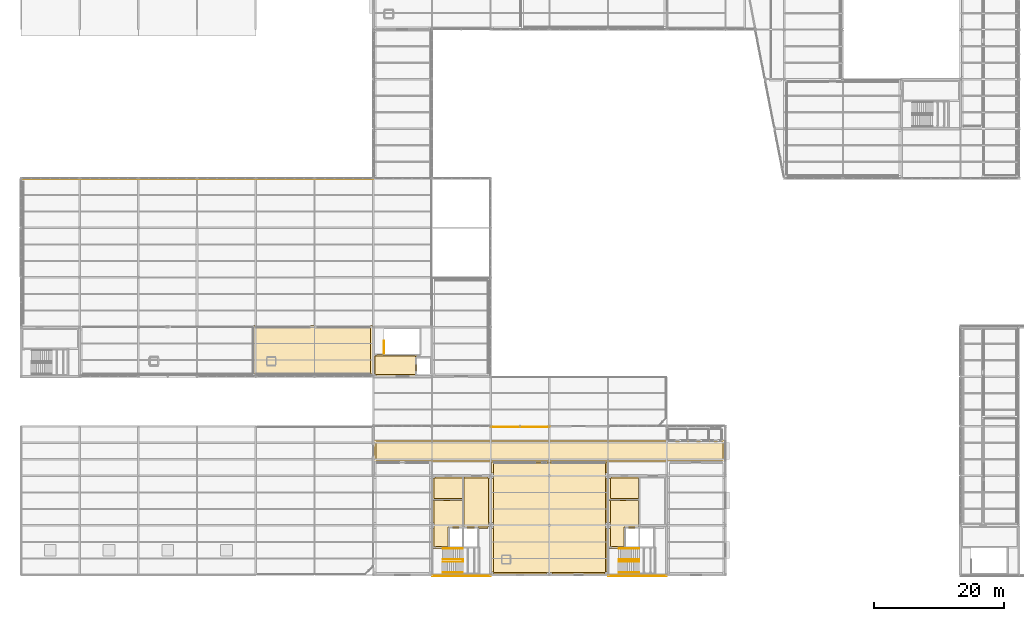
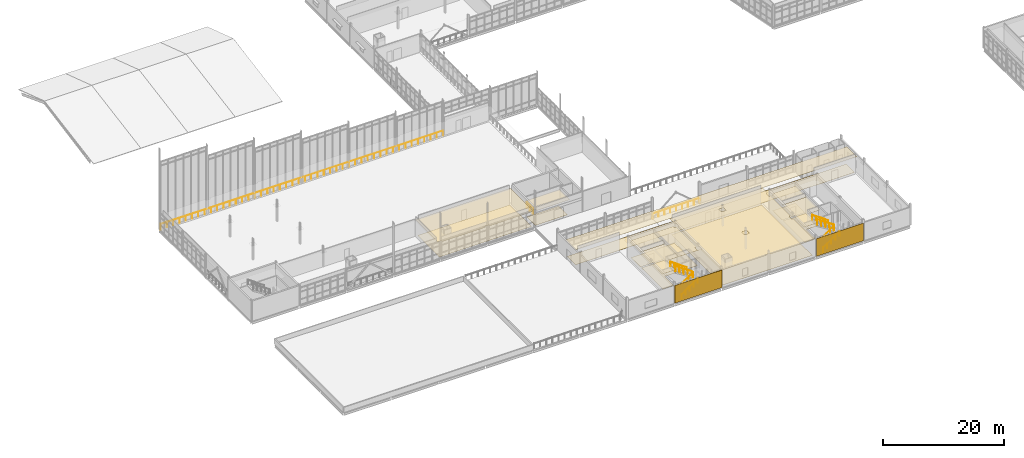
# One storey, part 162 of 166: 20 coverings, 9 railings.
"""IFC4 building model written with IfcOpenShell, lengths in metres."""

from ifc_helpers import new_model, si_unit, direction, frame, origin, origin_2d, place, context, subcontext, project, spatial, polyline, rectangle, circle, outline, extrude, material, layer, layer_set, type_object, element, save


model = new_model("IFC4")

# Units and contexts
model_context = context("Model", 3, precision=1e-05, world=origin(), true_north=direction((0.0, 1.0)))
body_context = subcontext(model_context, "Body", "Model", "MODEL_VIEW")
ifc_project = project(units=[si_unit("LENGTHUNIT", "METRE"), si_unit("AREAUNIT", "SQUARE_METRE"), si_unit("VOLUMEUNIT", "CUBIC_METRE"), si_unit("PLANEANGLEUNIT", "RADIAN"), si_unit("MASSUNIT", "GRAM", prefix="KILO")], contexts=[model_context])

# Site, building, storey
site_placement = place(None, origin())
site = spatial("IfcSite", under=ifc_project, at=site_placement, CompositionType="ELEMENT")
building_placement = place(site_placement, origin())
building = spatial("IfcBuilding", under=site, at=building_placement, Name="Caisbarro Railhouse Central Library", CompositionType="ELEMENT")
storey_placement = place(building_placement, frame((0.0, 0.0, 9.360107421875)))
storey = spatial("IfcBuildingStorey", under=building, at=storey_placement, Name="L02", CompositionType="ELEMENT", Elevation=9.360107421875)

# Coverings
ifc_material_1 = material(Name="Extruded architectural terracotta rainscreen", Category="masonry")
ifc_layer_1 = layer(ifc_material_1, 0.054931640625, Name="Extruded architectural terracotta rainscreen")
ifc_layer_set_1 = layer_set([ifc_layer_1], Name="Extruded architectural terracotta rainscreen")
covering_type_1 = type_object("IfcCoveringType", Name="CLD-TER01", PredefinedType="CLADDING", material=ifc_layer_set_1)
for number, where, z_axis, x_axis, name in (
    (1, (67.5, -0.151611328125, 0.02978515625), (0.0, 0.0, 1.0), (1.0, 0.0, 0.0), "TER01 facade cladding L02-027"),
    (2, (94.5, -0.151611328125, 0.02978515625), (0.0, 0.0, 1.0), (1.0, 0.0, 0.0), "TER01 facade cladding L02-028"),
):
    element("IfcCovering", number, at=place(storey_placement, frame(where, z_axis=z_axis, x_axis=x_axis)), inside=storey, type_object=covering_type_1, Name=name, PredefinedType="CLADDING", context=body_context, shape_type="SweptSolid", body=[
        extrude(rectangle(XDim=8.9599609375, YDim=0.054931640625, at=origin_2d()), origin(), (0.0, 0.0, 1.0), 3.551025390625),
    ])
ifc_material_2 = material(Name="Perforated mineral-fibre acoustic ceiling tile")
ifc_layer_2 = layer(ifc_material_2, 0.01806640625, Name="Perforated mineral-fibre acoustic ceiling tile")
ifc_layer_set_2 = layer_set([ifc_layer_2], Name="Perforated mineral-fibre acoustic ceiling tile")
covering_type_2 = type_object("IfcCoveringType", Name="COV-CL01", PredefinedType="CEILING", material=ifc_layer_set_2)
covering_1_placement = place(storey_placement, frame((0.0, 0.0, 3.25)))
element("IfcCovering", 3, at=covering_1_placement, inside=storey, type_object=covering_type_2, Name="CL01 acoustic ceiling Firefighting Lift Lobby K1", PredefinedType="CEILING", context=body_context, shape_type="SweptSolid", body=[
    extrude(outline(polyline([(63.090087890625, 7.159912109375), (63.43994140625, 7.159912109375), (63.43994140625, 8.0400390625), (63.090087890625, 8.0400390625), (63.090087890625, 11.7099609375), (67.909912109375, 11.7099609375), (67.909912109375, 7.090087890625), (65.7099609375, 7.090087890625), (65.7099609375, 4.090087890625), (63.090087890625, 4.090087890625), (63.090087890625, 7.159912109375)])), origin(), (0.0, 0.0, 1.0), 0.017822265625),
])
covering_2_placement = place(storey_placement, frame((0.0, 0.0, 3.25)))
element("IfcCovering", 4, at=covering_2_placement, inside=storey, type_object=covering_type_2, Name="CL01 acoustic ceiling Lift Lobby K1", PredefinedType="CEILING", context=body_context, shape_type="SweptSolid", body=[
    extrude(outline(polyline([(71.56005859375, 15.110107421875), (71.56005859375, 14.760009765625), (71.909912109375, 14.760009765625), (71.909912109375, 8.0400390625), (71.56005859375, 8.0400390625), (71.56005859375, 7.159912109375), (71.909912109375, 7.159912109375), (71.909912109375, 7.090087890625), (67.639892578125, 7.090087890625), (67.639892578125, 15.110107421875), (71.56005859375, 15.110107421875)])), origin(), (0.0, 0.0, 1.0), 0.017822265625),
])
covering_3_placement = place(storey_placement, frame((0.0, 0.0, 3.25)))
element("IfcCovering", 5, at=covering_3_placement, inside=storey, type_object=covering_type_2, Name="CL01 acoustic ceiling Core Vestibule K1", PredefinedType="CEILING", context=body_context, shape_type="SweptSolid", body=[
    extrude(outline(polyline([(63.090087890625, 14.760009765625), (63.43994140625, 14.760009765625), (63.43994140625, 15.110107421875), (67.909912109375, 15.110107421875), (67.909912109375, 11.43994140625), (63.090087890625, 11.43994140625), (63.090087890625, 14.760009765625)])), origin(), (0.0, 0.0, 1.0), 0.017822265625),
])
covering_4_placement = place(storey_placement, frame((0.0, 0.0, 3.25)))
element("IfcCovering", 6, at=covering_4_placement, inside=storey, type_object=covering_type_2, Name="CL01 acoustic ceiling Firefighting Lift Lobby K2", PredefinedType="CEILING", context=body_context, shape_type="SweptSolid", body=[
    extrude(outline(polyline([(90.090087890625, 7.159912109375), (90.43994140625, 7.159912109375), (90.43994140625, 8.0400390625), (90.090087890625, 8.0400390625), (90.090087890625, 11.7099609375), (94.909912109375, 11.7099609375), (94.909912109375, 7.090087890625), (92.7099609375, 7.090087890625), (92.7099609375, 4.090087890625), (90.090087890625, 4.090087890625), (90.090087890625, 7.159912109375)])), origin(), (0.0, 0.0, 1.0), 0.017822265625),
])
covering_5_placement = place(storey_placement, frame((0.0, 0.0, 3.25)))
element("IfcCovering", 7, at=covering_5_placement, inside=storey, type_object=covering_type_2, Name="CL01 acoustic ceiling Core Vestibule K2", PredefinedType="CEILING", context=body_context, shape_type="SweptSolid", body=[
    extrude(outline(polyline([(90.090087890625, 14.760009765625), (90.43994140625, 14.760009765625), (90.43994140625, 15.110107421875), (94.909912109375, 15.110107421875), (94.909912109375, 11.43994140625), (90.090087890625, 11.43994140625), (90.090087890625, 14.760009765625)])), origin(), (0.0, 0.0, 1.0), 0.017822265625),
])
covering_6_placement = place(storey_placement, frame((0.0, 0.0, 3.119873046875)))
element("IfcCovering", 8, at=covering_6_placement, inside=storey, type_object=covering_type_2, Name="CL01 acoustic ceiling Lift Lobby K4", PredefinedType="CEILING", context=body_context, shape_type="SweptSolid", body=[
    extrude(outline(polyline([(54.0400390625, 33.860107421875), (60.7099609375, 33.860107421875), (60.7099609375, 30.489990234375), (54.43994140625, 30.489990234375), (54.43994140625, 30.840087890625), (54.0400390625, 30.840087890625), (54.0400390625, 33.860107421875)])), origin(), (0.0, 0.0, 1.0), 0.01806640625),
])
covering_7_placement = place(storey_placement, frame((0.0, 0.0, 3.119873046875)))
element("IfcCovering", 9, at=covering_7_placement, inside=storey, type_object=covering_type_2, Name="CL01 acoustic ceiling Reference Consultation Lounge", PredefinedType="CEILING", context=body_context, shape_type="SweptSolid", body=[
    extrude(outline(polyline([(53.860107421875, 30.840087890625), (53.56005859375, 30.840087890625), (53.56005859375, 30.5400390625), (45.43994140625, 30.5400390625), (45.43994140625, 30.840087890625), (44.56005859375, 30.840087890625), (44.56005859375, 30.5400390625), (36.43994140625, 30.5400390625), (36.43994140625, 30.840087890625), (35.739990234375, 30.840087890625), (35.739990234375, 38.260009765625), (53.860107421875, 38.260009765625), (53.860107421875, 30.840087890625)])), origin(), (0.0, 0.0, 1.0), 0.01806640625),
])
covering_8_placement = place(storey_placement, frame((0.0, 0.0, 3.25)))
element("IfcCovering", 10, at=covering_8_placement, inside=storey, type_object=covering_type_2, Name="CL01 acoustic ceiling Science and Technology Open Stacks", PredefinedType="CEILING", context=body_context, shape_type="SweptSolid", body=[
    extrude(outline(polyline([(72.43994140625, 0.43994140625), (72.139892578125, 0.43994140625), (72.139892578125, 7.159912109375), (72.43994140625, 7.159912109375), (72.43994140625, 8.0400390625), (72.139892578125, 8.0400390625), (72.139892578125, 14.760009765625), (72.43994140625, 14.760009765625), (72.43994140625, 15.639892578125), (72.139892578125, 15.639892578125), (72.139892578125, 17.4599609375), (89.860107421875, 17.4599609375), (89.860107421875, 15.639892578125), (89.56005859375, 15.639892578125), (89.56005859375, 14.760009765625), (89.860107421875, 14.760009765625), (89.860107421875, 8.0400390625), (89.56005859375, 8.0400390625), (89.56005859375, 7.159912109375), (89.860107421875, 7.159912109375), (89.860107421875, 0.43994140625), (89.56005859375, 0.43994140625), (89.56005859375, 0.139892578125), (81.43994140625, 0.139892578125), (81.43994140625, 0.43994140625), (80.56005859375, 0.43994140625), (80.56005859375, 0.139892578125), (72.43994140625, 0.139892578125), (72.43994140625, 0.43994140625)]), holes=[polyline([(81.43994140625, 8.0400390625), (80.56005859375, 8.0400390625), (80.56005859375, 7.159912109375), (81.43994140625, 7.159912109375), (81.43994140625, 8.0400390625)]), polyline([(81.43994140625, 14.760009765625), (81.43994140625, 15.639892578125), (80.56005859375, 15.639892578125), (80.56005859375, 14.760009765625), (81.43994140625, 14.760009765625)])]), origin(), (0.0, 0.0, 1.0), 0.017822265625),
])
covering_9_placement = place(storey_placement, frame((0.0, 0.0, 3.25)))
element("IfcCovering", 11, at=covering_9_placement, inside=storey, type_object=covering_type_2, Name="CL01 acoustic ceiling Science Stacks Corridor L02", PredefinedType="CEILING", context=body_context, shape_type="SweptSolid", body=[
    extrude(outline(polyline([(54.139892578125, 17.340087890625), (54.139892578125, 20.659912109375), (107.860107421875, 20.659912109375), (107.860107421875, 17.340087890625), (54.139892578125, 17.340087890625)])), origin(), (0.0, 0.0, 1.0), 0.017822265625),
])
ifc_material_3 = material(Name="Polished cementitious terrazzo flooring")
ifc_layer_3 = layer(ifc_material_3, 0.02197265625, Name="Polished cementitious terrazzo flooring")
ifc_layer_set_3 = layer_set([ifc_layer_3], Name="Polished cementitious terrazzo flooring")
covering_type_3 = type_object("IfcCoveringType", Name="COV-FL01", PredefinedType="FLOORING", material=ifc_layer_set_3)
covering_10_placement = place(storey_placement, origin())
element("IfcCovering", 12, at=covering_10_placement, inside=storey, type_object=covering_type_3, Name="FL01 flooring Firefighting Lift Lobby K1", PredefinedType="FLOORING", context=body_context, shape_type="SweptSolid", body=[
    extrude(outline(polyline([(63.35009765625, 4.35009765625), (65.449951171875, 4.35009765625), (65.449951171875, 7.35009765625), (67.64990234375, 7.35009765625), (67.64990234375, 11.449951171875), (63.35009765625, 11.449951171875), (63.35009765625, 4.35009765625)])), origin(), (0.0, 0.0, 1.0), 0.02197265625),
])
covering_11_placement = place(storey_placement, origin())
element("IfcCovering", 13, at=covering_11_placement, inside=storey, type_object=covering_type_3, Name="FL01 flooring Lift Lobby K1", PredefinedType="FLOORING", context=body_context, shape_type="SweptSolid", body=[
    extrude(outline(polyline([(67.89990234375, 7.35009765625), (71.64990234375, 7.35009765625), (71.64990234375, 14.85009765625), (67.89990234375, 14.85009765625), (67.89990234375, 7.35009765625)])), origin(), (0.0, 0.0, 1.0), 0.02197265625),
])
covering_12_placement = place(storey_placement, origin())
element("IfcCovering", 14, at=covering_12_placement, inside=storey, type_object=covering_type_3, Name="FL01 flooring Firefighting Lift Lobby K2", PredefinedType="FLOORING", context=body_context, shape_type="SweptSolid", body=[
    extrude(outline(polyline([(90.35009765625, 4.35009765625), (92.449951171875, 4.35009765625), (92.449951171875, 7.35009765625), (94.64990234375, 7.35009765625), (94.64990234375, 11.449951171875), (90.35009765625, 11.449951171875), (90.35009765625, 4.35009765625)])), origin(), (0.0, 0.0, 1.0), 0.02197265625),
])
covering_13_placement = place(storey_placement, origin())
element("IfcCovering", 15, at=covering_13_placement, inside=storey, type_object=covering_type_3, Name="FL01 flooring Lift Lobby K4", PredefinedType="FLOORING", context=body_context, shape_type="SweptSolid", body=[
    extrude(outline(polyline([(54.300048828125, 30.75), (60.449951171875, 30.75), (60.449951171875, 33.60009765625), (54.300048828125, 33.60009765625), (54.300048828125, 30.75)])), origin(), (0.0, 0.0, 1.0), 0.02197265625),
])
covering_14_placement = place(storey_placement, origin())
element("IfcCovering", 16, at=covering_14_placement, inside=storey, type_object=covering_type_3, Name="FL01 flooring Science Stacks Corridor L02", PredefinedType="FLOORING", context=body_context, shape_type="SweptSolid", body=[
    extrude(outline(polyline([(54.39990234375, 17.60009765625), (107.60009765625, 17.60009765625), (107.60009765625, 20.39990234375), (54.39990234375, 20.39990234375), (54.39990234375, 17.60009765625)])), origin(), (0.0, 0.0, 1.0), 0.02197265625),
])
ifc_material_4 = material(Name="Heavy-duty acoustic linoleum flooring")
ifc_layer_4 = layer(ifc_material_4, 0.011962890625, Name="Heavy-duty acoustic linoleum flooring")
ifc_layer_set_4 = layer_set([ifc_layer_4], Name="Heavy-duty acoustic linoleum flooring")
covering_type_4 = type_object("IfcCoveringType", Name="COV-FL02", PredefinedType="FLOORING", material=ifc_layer_set_4)
covering_15_placement = place(storey_placement, origin())
element("IfcCovering", 17, at=covering_15_placement, inside=storey, type_object=covering_type_4, Name="FL02 flooring Core Vestibule K1", PredefinedType="FLOORING", context=body_context, shape_type="SweptSolid", body=[
    extrude(outline(polyline([(63.35009765625, 11.699951171875), (67.64990234375, 11.699951171875), (67.64990234375, 14.85009765625), (63.35009765625, 14.85009765625), (63.35009765625, 11.699951171875)])), origin(), (0.0, 0.0, 1.0), 0.011962890625),
])
covering_16_placement = place(storey_placement, origin())
element("IfcCovering", 18, at=covering_16_placement, inside=storey, type_object=covering_type_4, Name="FL02 flooring Core Vestibule K2", PredefinedType="FLOORING", context=body_context, shape_type="SweptSolid", body=[
    extrude(outline(polyline([(90.35009765625, 11.699951171875), (94.64990234375, 11.699951171875), (94.64990234375, 14.85009765625), (90.35009765625, 14.85009765625), (90.35009765625, 11.699951171875)])), origin(), (0.0, 0.0, 1.0), 0.011962890625),
])
covering_17_placement = place(storey_placement, origin())
element("IfcCovering", 19, at=covering_17_placement, inside=storey, type_object=covering_type_4, Name="FL02 flooring Reference Consultation Lounge", PredefinedType="FLOORING", context=body_context, shape_type="SweptSolid", body=[
    extrude(outline(polyline([(36.0, 30.800048828125), (53.60009765625, 30.800048828125), (53.60009765625, 38.0), (36.0, 38.0), (36.0, 30.800048828125)])), origin(), (0.0, 0.0, 1.0), 0.011962890625),
])
covering_18_placement = place(storey_placement, origin())
element("IfcCovering", 20, at=covering_18_placement, inside=storey, type_object=covering_type_4, Name="FL02 flooring Science and Technology Open Stacks", PredefinedType="FLOORING", context=body_context, shape_type="SweptSolid", body=[
    extrude(outline(polyline([(72.39990234375, 0.39990234375), (89.60009765625, 0.39990234375), (89.60009765625, 17.199951171875), (72.39990234375, 17.199951171875), (72.39990234375, 0.39990234375)])), origin(), (0.0, 0.0, 1.0), 0.011962890625),
])

# Railings
ifc_material_5 = material(Name="Laminated safety glass balustrade with stainless top rail", Category="glass")
railing_type_1 = type_object("IfcRailingType", Name="RLG-ATR112", PredefinedType="GUARDRAIL", material=ifc_material_5)
railing_1_placement = place(storey_placement, frame((0.14990234375, 60.699951171875, 0.0)))
element("IfcRailing", 21, at=railing_1_placement, inside=storey, type_object=railing_type_1, Name="RG02 Interior Void Balustrade L02-14", PredefinedType="GUARDRAIL", context=body_context, shape_type="SweptSolid", body=[
    extrude(circle(Radius=0.02392578125, at=origin_2d()), frame((0.0, 0.0, 1.09619140625), z_axis=(1.0, 0.0, 0.0), x_axis=(0.0, 1.0, 0.0)), (0.0, 0.0, 1.0), 53.85009765625),
    extrude(circle(Radius=0.02099609375, at=origin_2d()), origin(), (0.0, 0.0, 1.0), 1.072021484375),
    extrude(circle(Radius=0.02099609375, at=origin_2d()), frame((1.19677734375, 0.0, 0.0)), (0.0, 0.0, 1.0), 1.072021484375),
    extrude(circle(Radius=0.02099609375, at=origin_2d()), frame((2.393310546875, 0.0, 0.0)), (0.0, 0.0, 1.0), 1.072021484375),
    extrude(circle(Radius=0.02099609375, at=origin_2d()), frame((3.590087890625, 0.0, 0.0)), (0.0, 0.0, 1.0), 1.072021484375),
    extrude(circle(Radius=0.02099609375, at=origin_2d()), frame((4.78662109375, 0.0, 0.0)), (0.0, 0.0, 1.0), 1.072021484375),
    extrude(circle(Radius=0.02099609375, at=origin_2d()), frame((5.9833984375, 0.0, 0.0)), (0.0, 0.0, 1.0), 1.072021484375),
    extrude(circle(Radius=0.02099609375, at=origin_2d()), frame((7.179931640625, 0.0, 0.0)), (0.0, 0.0, 1.0), 1.072021484375),
    extrude(circle(Radius=0.02099609375, at=origin_2d()), frame((8.376708984375, 0.0, 0.0)), (0.0, 0.0, 1.0), 1.072021484375),
    extrude(circle(Radius=0.02099609375, at=origin_2d()), frame((9.5732421875, 0.0, 0.0)), (0.0, 0.0, 1.0), 1.072021484375),
    extrude(circle(Radius=0.02099609375, at=origin_2d()), frame((10.77001953125, 0.0, 0.0)), (0.0, 0.0, 1.0), 1.072021484375),
    extrude(circle(Radius=0.02099609375, at=origin_2d()), frame((11.966796875, 0.0, 0.0)), (0.0, 0.0, 1.0), 1.072021484375),
    extrude(circle(Radius=0.02099609375, at=origin_2d()), frame((13.163330078125, 0.0, 0.0)), (0.0, 0.0, 1.0), 1.072021484375),
    extrude(circle(Radius=0.02099609375, at=origin_2d()), frame((14.360107421875, 0.0, 0.0)), (0.0, 0.0, 1.0), 1.072021484375),
    extrude(circle(Radius=0.02099609375, at=origin_2d()), frame((15.556640625, 0.0, 0.0)), (0.0, 0.0, 1.0), 1.072021484375),
    extrude(circle(Radius=0.02099609375, at=origin_2d()), frame((16.75341796875, 0.0, 0.0)), (0.0, 0.0, 1.0), 1.072021484375),
    extrude(circle(Radius=0.02099609375, at=origin_2d()), frame((17.949951171875, 0.0, 0.0)), (0.0, 0.0, 1.0), 1.072021484375),
    extrude(circle(Radius=0.02099609375, at=origin_2d()), frame((19.146728515625, 0.0, 0.0)), (0.0, 0.0, 1.0), 1.072021484375),
    extrude(circle(Radius=0.02099609375, at=origin_2d()), frame((20.34326171875, 0.0, 0.0)), (0.0, 0.0, 1.0), 1.072021484375),
    extrude(circle(Radius=0.02099609375, at=origin_2d()), frame((21.5400390625, 0.0, 0.0)), (0.0, 0.0, 1.0), 1.072021484375),
    extrude(circle(Radius=0.02099609375, at=origin_2d()), frame((22.73681640625, 0.0, 0.0)), (0.0, 0.0, 1.0), 1.072021484375),
    extrude(circle(Radius=0.02099609375, at=origin_2d()), frame((23.933349609375, 0.0, 0.0)), (0.0, 0.0, 1.0), 1.072021484375),
    extrude(circle(Radius=0.02099609375, at=origin_2d()), frame((25.130126953125, 0.0, 0.0)), (0.0, 0.0, 1.0), 1.072021484375),
    extrude(circle(Radius=0.02099609375, at=origin_2d()), frame((26.32666015625, 0.0, 0.0)), (0.0, 0.0, 1.0), 1.072021484375),
    extrude(circle(Radius=0.02099609375, at=origin_2d()), frame((27.5234375, 0.0, 0.0)), (0.0, 0.0, 1.0), 1.072021484375),
    extrude(circle(Radius=0.02099609375, at=origin_2d()), frame((28.719970703125, 0.0, 0.0)), (0.0, 0.0, 1.0), 1.072021484375),
    extrude(circle(Radius=0.02099609375, at=origin_2d()), frame((29.916748046875, 0.0, 0.0)), (0.0, 0.0, 1.0), 1.072021484375),
    extrude(circle(Radius=0.02099609375, at=origin_2d()), frame((31.11328125, 0.0, 0.0)), (0.0, 0.0, 1.0), 1.072021484375),
    extrude(circle(Radius=0.02099609375, at=origin_2d()), frame((32.31005859375, 0.0, 0.0)), (0.0, 0.0, 1.0), 1.072021484375),
    extrude(circle(Radius=0.02099609375, at=origin_2d()), frame((33.5068359375, 0.0, 0.0)), (0.0, 0.0, 1.0), 1.072021484375),
    extrude(circle(Radius=0.02099609375, at=origin_2d()), frame((34.703369140625, 0.0, 0.0)), (0.0, 0.0, 1.0), 1.072021484375),
    extrude(circle(Radius=0.02099609375, at=origin_2d()), frame((35.900146484375, 0.0, 0.0)), (0.0, 0.0, 1.0), 1.072021484375),
    extrude(circle(Radius=0.02099609375, at=origin_2d()), frame((37.0966796875, 0.0, 0.0)), (0.0, 0.0, 1.0), 1.072021484375),
    extrude(circle(Radius=0.02099609375, at=origin_2d()), frame((38.29345703125, 0.0, 0.0)), (0.0, 0.0, 1.0), 1.072021484375),
    extrude(circle(Radius=0.02099609375, at=origin_2d()), frame((39.489990234375, 0.0, 0.0)), (0.0, 0.0, 1.0), 1.072021484375),
    extrude(circle(Radius=0.02099609375, at=origin_2d()), frame((40.686767578125, 0.0, 0.0)), (0.0, 0.0, 1.0), 1.072021484375),
    extrude(circle(Radius=0.02099609375, at=origin_2d()), frame((41.88330078125, 0.0, 0.0)), (0.0, 0.0, 1.0), 1.072021484375),
    extrude(circle(Radius=0.02099609375, at=origin_2d()), frame((43.080078125, 0.0, 0.0)), (0.0, 0.0, 1.0), 1.072021484375),
    extrude(circle(Radius=0.02099609375, at=origin_2d()), frame((44.27685546875, 0.0, 0.0)), (0.0, 0.0, 1.0), 1.072021484375),
    extrude(circle(Radius=0.02099609375, at=origin_2d()), frame((45.473388671875, 0.0, 0.0)), (0.0, 0.0, 1.0), 1.072021484375),
    extrude(circle(Radius=0.02099609375, at=origin_2d()), frame((46.670166015625, 0.0, 0.0)), (0.0, 0.0, 1.0), 1.072021484375),
    extrude(circle(Radius=0.02099609375, at=origin_2d()), frame((47.86669921875, 0.0, 0.0)), (0.0, 0.0, 1.0), 1.072021484375),
    extrude(circle(Radius=0.02099609375, at=origin_2d()), frame((49.0634765625, 0.0, 0.0)), (0.0, 0.0, 1.0), 1.072021484375),
    extrude(circle(Radius=0.02099609375, at=origin_2d()), frame((50.260009765625, 0.0, 0.0)), (0.0, 0.0, 1.0), 1.072021484375),
    extrude(circle(Radius=0.02099609375, at=origin_2d()), frame((51.456787109375, 0.0, 0.0)), (0.0, 0.0, 1.0), 1.072021484375),
    extrude(circle(Radius=0.02099609375, at=origin_2d()), frame((52.6533203125, 0.0, 0.0)), (0.0, 0.0, 1.0), 1.072021484375),
    extrude(circle(Radius=0.02099609375, at=origin_2d()), frame((53.85009765625, 0.0, 0.0)), (0.0, 0.0, 1.0), 1.072021484375),
])
railing_2_placement = place(storey_placement, frame((72.0, 22.699951171875, 0.0)))
element("IfcRailing", 22, at=railing_2_placement, inside=storey, type_object=railing_type_1, Name="RG02 Interior Void Balustrade L02-25", PredefinedType="GUARDRAIL", context=body_context, shape_type="SweptSolid", body=[
    extrude(circle(Radius=0.02392578125, at=origin_2d()), frame((0.0, 0.0, 1.09619140625), z_axis=(1.0, 0.0, 0.0), x_axis=(0.0, 1.0, 0.0)), (0.0, 0.0, 1.0), 9.0),
    extrude(circle(Radius=0.02099609375, at=origin_2d()), origin(), (0.0, 0.0, 1.0), 1.072021484375),
    extrude(circle(Radius=0.02099609375, at=origin_2d()), frame((1.125, 0.0, 0.0)), (0.0, 0.0, 1.0), 1.072021484375),
    extrude(circle(Radius=0.02099609375, at=origin_2d()), frame((2.25, 0.0, 0.0)), (0.0, 0.0, 1.0), 1.072021484375),
    extrude(circle(Radius=0.02099609375, at=origin_2d()), frame((3.375, 0.0, 0.0)), (0.0, 0.0, 1.0), 1.072021484375),
    extrude(circle(Radius=0.02099609375, at=origin_2d()), frame((4.5, 0.0, 0.0)), (0.0, 0.0, 1.0), 1.072021484375),
    extrude(circle(Radius=0.02099609375, at=origin_2d()), frame((5.625, 0.0, 0.0)), (0.0, 0.0, 1.0), 1.072021484375),
    extrude(circle(Radius=0.02099609375, at=origin_2d()), frame((6.75, 0.0, 0.0)), (0.0, 0.0, 1.0), 1.072021484375),
    extrude(circle(Radius=0.02099609375, at=origin_2d()), frame((7.875, 0.0, 0.0)), (0.0, 0.0, 1.0), 1.072021484375),
    extrude(circle(Radius=0.02099609375, at=origin_2d()), frame((9.0, 0.0, 0.0)), (0.0, 0.0, 1.0), 1.072021484375),
])
ifc_material_6 = material(Name="Brushed stainless steel Grade 316", Category="steel")
railing_type_2 = type_object("IfcRailingType", Name="RLG-STR092", PredefinedType="HANDRAIL", material=ifc_material_6)
railing_3_placement = place(storey_placement, frame((64.64990234375, 0.389892578125, 0.0)))
element("IfcRailing", 23, at=railing_3_placement, inside=storey, type_object=railing_type_2, Name="Stair ST-01 Outer Handrail F1 L02", PredefinedType="HANDRAIL", context=body_context, shape_type="SweptSolid", body=[
    extrude(circle(Radius=0.02392578125, at=origin_2d()), frame((0.0, 0.0, 0.89599609375), z_axis=(0.819624179701, 0.0, 0.572901565759), x_axis=(0.0, 1.0, 0.0)), (0.0, 0.0, 1.0), 3.77001953125),
    extrude(circle(Radius=0.02099609375, at=origin_2d()), origin(), (0.0, 0.0, 1.0), 0.871826171875),
    extrude(circle(Radius=0.02099609375, at=origin_2d()), frame((0.7724609375, 0.0, 0.5400390625)), (0.0, 0.0, 1.0), 0.871826171875),
    extrude(circle(Radius=0.02099609375, at=origin_2d()), frame((1.544921875, 0.0, 1.080078125)), (0.0, 0.0, 1.0), 0.871826171875),
    extrude(circle(Radius=0.02099609375, at=origin_2d()), frame((2.317626953125, 0.0, 1.619873046875)), (0.0, 0.0, 1.0), 0.871826171875),
    extrude(circle(Radius=0.02099609375, at=origin_2d()), frame((3.090087890625, 0.0, 2.159912109375)), (0.0, 0.0, 1.0), 0.871826171875),
])
railing_4_placement = place(storey_placement, frame((67.739990234375, 4.06005859375, 2.159912109375)))
element("IfcRailing", 24, at=railing_4_placement, inside=storey, type_object=railing_type_2, Name="Stair ST-01 Outer Handrail F2 L02", PredefinedType="HANDRAIL", context=body_context, shape_type="SweptSolid", body=[
    extrude(circle(Radius=0.02392578125, at=origin_2d()), frame((0.0, 0.0, 0.89599609375), z_axis=(-0.819624179701, 0.0, 0.572901565759), x_axis=(0.0, -1.0, 0.0)), (0.0, 0.0, 1.0), 3.77001953125),
    extrude(circle(Radius=0.02099609375, at=origin_2d()), origin(), (0.0, 0.0, 1.0), 0.871826171875),
    extrude(circle(Radius=0.02099609375, at=origin_2d()), frame((-0.7724609375, 0.0, 0.5400390625)), (0.0, 0.0, 1.0), 0.871826171875),
    extrude(circle(Radius=0.02099609375, at=origin_2d()), frame((-1.544921875, 0.0, 1.080078125)), (0.0, 0.0, 1.0), 0.871826171875),
    extrude(circle(Radius=0.02099609375, at=origin_2d()), frame((-2.317626953125, 0.0, 1.619873046875)), (0.0, 0.0, 1.0), 0.871826171875),
    extrude(circle(Radius=0.02099609375, at=origin_2d()), frame((-3.090087890625, 0.0, 2.159912109375)), (0.0, 0.0, 1.0), 0.871826171875),
])
railing_5_placement = place(storey_placement, frame((91.64990234375, 0.389892578125, 0.0)))
element("IfcRailing", 25, at=railing_5_placement, inside=storey, type_object=railing_type_2, Name="Stair ST-02 Outer Handrail F1 L02", PredefinedType="HANDRAIL", context=body_context, shape_type="SweptSolid", body=[
    extrude(circle(Radius=0.02392578125, at=origin_2d()), frame((0.0, 0.0, 0.89599609375), z_axis=(0.819624179701, 0.0, 0.572901565759), x_axis=(0.0, 1.0, 0.0)), (0.0, 0.0, 1.0), 3.77001953125),
    extrude(circle(Radius=0.02099609375, at=origin_2d()), origin(), (0.0, 0.0, 1.0), 0.871826171875),
    extrude(circle(Radius=0.02099609375, at=origin_2d()), frame((0.7724609375, 0.0, 0.5400390625)), (0.0, 0.0, 1.0), 0.871826171875),
    extrude(circle(Radius=0.02099609375, at=origin_2d()), frame((1.544921875, 0.0, 1.080078125)), (0.0, 0.0, 1.0), 0.871826171875),
    extrude(circle(Radius=0.02099609375, at=origin_2d()), frame((2.317626953125, 0.0, 1.619873046875)), (0.0, 0.0, 1.0), 0.871826171875),
    extrude(circle(Radius=0.02099609375, at=origin_2d()), frame((3.090087890625, 0.0, 2.159912109375)), (0.0, 0.0, 1.0), 0.871826171875),
])
railing_6_placement = place(storey_placement, frame((94.739990234375, 4.06005859375, 2.159912109375)))
element("IfcRailing", 26, at=railing_6_placement, inside=storey, type_object=railing_type_2, Name="Stair ST-02 Outer Handrail F2 L02", PredefinedType="HANDRAIL", context=body_context, shape_type="SweptSolid", body=[
    extrude(circle(Radius=0.02392578125, at=origin_2d()), frame((0.0, 0.0, 0.89599609375), z_axis=(-0.819624179701, 0.0, 0.572901565759), x_axis=(0.0, -1.0, 0.0)), (0.0, 0.0, 1.0), 3.77001953125),
    extrude(circle(Radius=0.02099609375, at=origin_2d()), origin(), (0.0, 0.0, 1.0), 0.871826171875),
    extrude(circle(Radius=0.02099609375, at=origin_2d()), frame((-0.7724609375, 0.0, 0.5400390625)), (0.0, 0.0, 1.0), 0.871826171875),
    extrude(circle(Radius=0.02099609375, at=origin_2d()), frame((-1.544921875, 0.0, 1.080078125)), (0.0, 0.0, 1.0), 0.871826171875),
    extrude(circle(Radius=0.02099609375, at=origin_2d()), frame((-2.317626953125, 0.0, 1.619873046875)), (0.0, 0.0, 1.0), 0.871826171875),
    extrude(circle(Radius=0.02099609375, at=origin_2d()), frame((-3.090087890625, 0.0, 2.159912109375)), (0.0, 0.0, 1.0), 0.871826171875),
])
railing_type_3 = type_object("IfcRailingType", Name="RLG-STR110", PredefinedType="GUARDRAIL", material=ifc_material_6)
railing_7_placement = place(storey_placement, frame((64.64990234375, 2.030029296875, 0.0)))
element("IfcRailing", 27, at=railing_7_placement, inside=storey, type_object=railing_type_3, Name="Stair ST-01 Inner Well Guardrail L02", PredefinedType="GUARDRAIL", context=body_context, shape_type="SweptSolid", body=[
    extrude(circle(Radius=0.02392578125, at=origin_2d()), frame((0.0, 0.0, 1.076171875), z_axis=(0.819624179701, 0.0, 0.572901565759), x_axis=(0.0, 1.0, 0.0)), (0.0, 0.0, 1.0), 3.77001953125),
    extrude(circle(Radius=0.02392578125, at=origin_2d()), frame((3.090087890625, 0.0, 3.23583984375), z_axis=(0.0, 1.0, 0.0), x_axis=(-1.0, 0.0, 0.0)), (0.0, 0.0, 1.0), 0.389892578125),
    extrude(circle(Radius=0.02392578125, at=origin_2d()), frame((3.090087890625, 0.389892578125, 3.23583984375), z_axis=(-0.819624179701, 0.0, 0.572901565759), x_axis=(0.0, -1.0, 0.0)), (0.0, 0.0, 1.0), 3.77001953125),
    extrude(circle(Radius=0.02099609375, at=origin_2d()), origin(), (0.0, 0.0, 1.0), 1.052001953125),
    extrude(circle(Radius=0.02099609375, at=origin_2d()), frame((0.7724609375, 0.0, 0.5400390625)), (0.0, 0.0, 1.0), 1.052001953125),
    extrude(circle(Radius=0.02099609375, at=origin_2d()), frame((1.544921875, 0.0, 1.080078125)), (0.0, 0.0, 1.0), 1.052001953125),
    extrude(circle(Radius=0.02099609375, at=origin_2d()), frame((2.317626953125, 0.0, 1.619873046875)), (0.0, 0.0, 1.0), 1.052001953125),
    extrude(circle(Radius=0.02099609375, at=origin_2d()), frame((3.090087890625, 0.0, 2.159912109375)), (0.0, 0.0, 1.0), 1.052001953125),
    extrude(circle(Radius=0.02099609375, at=origin_2d()), frame((3.090087890625, 0.389892578125, 2.159912109375)), (0.0, 0.0, 1.0), 1.052001953125),
    extrude(circle(Radius=0.02099609375, at=origin_2d()), frame((2.317626953125, 0.389892578125, 2.699951171875)), (0.0, 0.0, 1.0), 1.052001953125),
    extrude(circle(Radius=0.02099609375, at=origin_2d()), frame((1.544921875, 0.389892578125, 3.23974609375)), (0.0, 0.0, 1.0), 1.052001953125),
    extrude(circle(Radius=0.02099609375, at=origin_2d()), frame((0.7724609375, 0.389892578125, 3.77978515625)), (0.0, 0.0, 1.0), 1.052001953125),
    extrude(circle(Radius=0.02099609375, at=origin_2d()), frame((0.0, 0.389892578125, 4.31982421875)), (0.0, 0.0, 1.0), 1.052001953125),
])
railing_8_placement = place(storey_placement, frame((91.64990234375, 2.090087890625, 0.0)))
element("IfcRailing", 28, at=railing_8_placement, inside=storey, type_object=railing_type_3, Name="Stair ST-02 Inner Well Guardrail L02", PredefinedType="GUARDRAIL", context=body_context, shape_type="SweptSolid", body=[
    extrude(circle(Radius=0.02392578125, at=origin_2d()), frame((0.0, 0.0, 1.076171875), z_axis=(0.819624179701, 0.0, 0.572901565759), x_axis=(0.0, 1.0, 0.0)), (0.0, 0.0, 1.0), 3.77001953125),
    extrude(circle(Radius=0.02392578125, at=origin_2d()), frame((3.090087890625, 0.0, 3.23583984375), z_axis=(0.0, 1.0, 0.0), x_axis=(-1.0, 0.0, 0.0)), (0.0, 0.0, 1.0), 0.27001953125),
    extrude(circle(Radius=0.02392578125, at=origin_2d()), frame((3.090087890625, 0.27001953125, 3.23583984375), z_axis=(-0.819624179701, 0.0, 0.572901565759), x_axis=(0.0, -1.0, 0.0)), (0.0, 0.0, 1.0), 3.77001953125),
    extrude(circle(Radius=0.02099609375, at=origin_2d()), origin(), (0.0, 0.0, 1.0), 1.052001953125),
    extrude(circle(Radius=0.02099609375, at=origin_2d()), frame((0.7724609375, 0.0, 0.5400390625)), (0.0, 0.0, 1.0), 1.052001953125),
    extrude(circle(Radius=0.02099609375, at=origin_2d()), frame((1.544921875, 0.0, 1.080078125)), (0.0, 0.0, 1.0), 1.052001953125),
    extrude(circle(Radius=0.02099609375, at=origin_2d()), frame((2.317626953125, 0.0, 1.619873046875)), (0.0, 0.0, 1.0), 1.052001953125),
    extrude(circle(Radius=0.02099609375, at=origin_2d()), frame((3.090087890625, 0.0, 2.159912109375)), (0.0, 0.0, 1.0), 1.052001953125),
    extrude(circle(Radius=0.02099609375, at=origin_2d()), frame((3.090087890625, 0.27001953125, 2.159912109375)), (0.0, 0.0, 1.0), 1.052001953125),
    extrude(circle(Radius=0.02099609375, at=origin_2d()), frame((2.317626953125, 0.27001953125, 2.699951171875)), (0.0, 0.0, 1.0), 1.052001953125),
    extrude(circle(Radius=0.02099609375, at=origin_2d()), frame((1.544921875, 0.27001953125, 3.23974609375)), (0.0, 0.0, 1.0), 1.052001953125),
    extrude(circle(Radius=0.02099609375, at=origin_2d()), frame((0.7724609375, 0.27001953125, 3.77978515625)), (0.0, 0.0, 1.0), 1.052001953125),
    extrude(circle(Radius=0.02099609375, at=origin_2d()), frame((0.0, 0.27001953125, 4.31982421875)), (0.0, 0.0, 1.0), 1.052001953125),
])
railing_9_placement = place(storey_placement, frame((55.64990234375, 33.89990234375, 0.0)))
element("IfcRailing", 29, at=railing_9_placement, inside=storey, type_object=railing_type_3, Name="Stair ST-04 Top Landing Guardrail L02", PredefinedType="GUARDRAIL", context=body_context, shape_type="SweptSolid", body=[
    extrude(circle(Radius=0.02392578125, at=origin_2d()), frame((0.0, 0.0, 1.076171875), z_axis=(0.0, 1.0, 0.0), x_axis=(-1.0, 0.0, 0.0)), (0.0, 0.0, 1.0), 1.97021484375),
    extrude(circle(Radius=0.02099609375, at=origin_2d()), origin(), (0.0, 0.0, 1.0), 1.052001953125),
    extrude(circle(Radius=0.02099609375, at=origin_2d()), frame((0.0, 0.985107421875, 0.0)), (0.0, 0.0, 1.0), 1.052001953125),
    extrude(circle(Radius=0.02099609375, at=origin_2d()), frame((0.0, 1.97021484375, 0.0)), (0.0, 0.0, 1.0), 1.052001953125),
])

save(model, "model.ifc")
